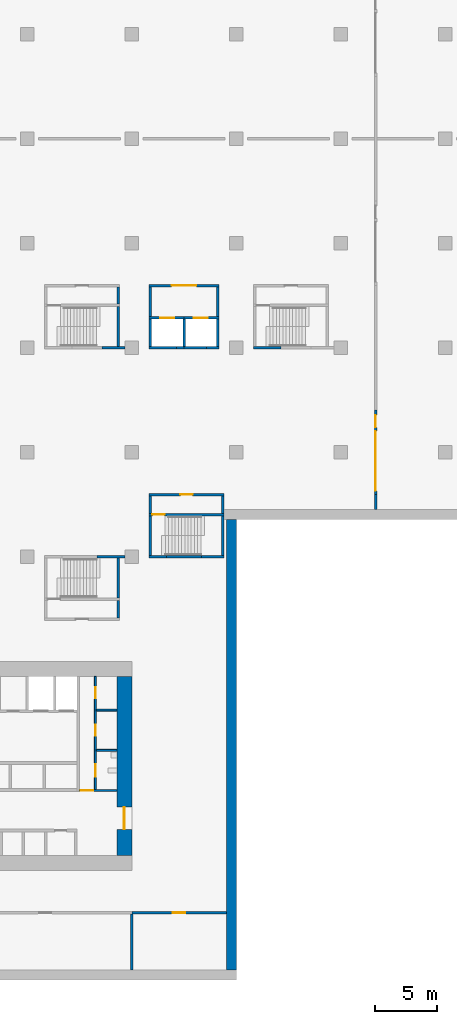
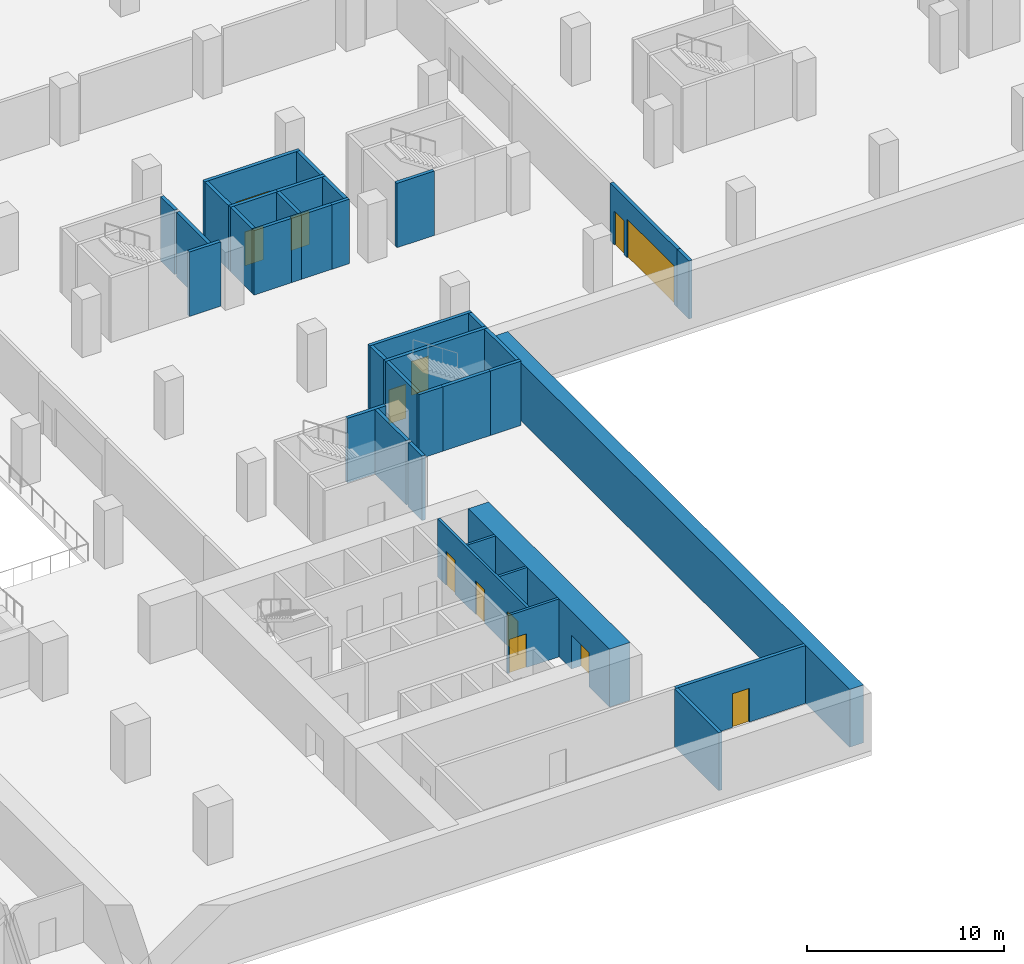
# One storey, part 7 of 18: 38 walls, 13 doors, 13 openings.
"""IFC4 building model written with IfcOpenShell, lengths in metres."""

from ifc_helpers import new_model, si_unit, direction, frame, frame_2d, origin, place, context, subcontext, project, spatial, rectangle, extrude, material, layer, layer_set, type_object, element, fill, save


model = new_model("IFC4")

# Units and contexts
model_context = context("Model", 3, precision=1e-05, world=origin(), true_north=direction((0.0, 1.0)))
body_context = subcontext(model_context, "Body", "Model", "MODEL_VIEW")
ifc_project = project(units=[si_unit("LENGTHUNIT", "METRE"), si_unit("AREAUNIT", "SQUARE_METRE"), si_unit("VOLUMEUNIT", "CUBIC_METRE"), si_unit("PLANEANGLEUNIT", "RADIAN"), si_unit("MASSUNIT", "GRAM", prefix="KILO")], contexts=[model_context])

# Site, building, storey
site_placement = place(None, origin())
site = spatial("IfcSite", under=ifc_project, at=site_placement, CompositionType="ELEMENT")
building_placement = place(site_placement, origin())
building = spatial("IfcBuilding", under=site, at=building_placement, Name="Vermilion Gate Residences", CompositionType="ELEMENT")
storey_placement = place(building_placement, frame((0.0, 0.0, -4.0)))
storey = spatial("IfcBuildingStorey", under=building, at=storey_placement, Name="B1", CompositionType="ELEMENT", Elevation=-4.0)

# Wall, opening, door
ifc_material_1 = material(Name="Masonry blockwork", Category="masonry")
ifc_layer_1 = layer(ifc_material_1, 0.14990234375)
ifc_layer_set_1 = layer_set([ifc_layer_1], Name="BLOCKWORK PARTITION 150 EI 120")
wall_type_1 = type_object("IfcWallType", Name="BLOCKWORK PARTITION 150 EI 120", PredefinedType="PARTITIONING", material=ifc_layer_set_1)
wall_1_placement = place(storey_placement, frame((54.60009765625, 14.824951171875, 0.0), z_axis=(0.0, 0.0, 1.0), x_axis=(1.0, 0.0, 0.0)))
wall_1 = element("IfcWall", 1, at=wall_1_placement, inside=storey, type_object=wall_type_1, Name="Core room partition AB1-ES-S", PredefinedType="PARTITIONING", context=body_context, shape_type="SweptSolid", body=[
    extrude(rectangle(XDim=3.0, YDim=0.14990234375, at=frame_2d((1.5, 0.0))), origin(), (0.0, 0.0, 1.0), 3.60009765625),
])
opening_1_placement = place(wall_1_placement, frame((0.10009765625, 0.0, 0.0)))
opening_1 = element("IfcOpeningElement", 2, at=opening_1_placement, cuts=wall_1, Name="Opening DKB1010", PredefinedType="OPENING", context=body_context, shape_type="SweptSolid", body=[
    extrude(rectangle(XDim=1.0, YDim=2.10009765625, at=frame_2d((0.5, 1.050048828125))), frame((0.0, 0.0849609375, 0.0), z_axis=(0.0, -1.0, 0.0), x_axis=(1.0, 0.0, 0.0)), (0.0, 0.0, 1.0), 0.169921875),
])
ifc_material_2 = material(Name="Steel", Category="steel")
door_type_1 = type_object("IfcDoorType", Name="FIRE DOOR FD60 1000 X 2100", OperationType="SINGLE_SWING_LEFT", PredefinedType="DOOR", material=ifc_material_2)
door_1_placement = place(opening_1_placement, frame((1.0, 0.0, 0.0), z_axis=(0.0, 0.0, 1.0), x_axis=(-1.0, 0.0, 0.0)))
door_1 = element("IfcDoor", 3, at=door_1_placement, inside=storey, type_object=door_type_1, Name="Service corridor door AB1", OperationType="SINGLE_SWING_LEFT", OverallHeight=2.10009765625, OverallWidth=1.0, PredefinedType="DOOR", context=body_context, shape_type="SweptSolid", body=[
    extrude(rectangle(XDim=1.0, YDim=2.10009765625, at=frame_2d((0.5, 1.050048828125))), frame((0.0, 0.02490234375, 0.0), z_axis=(0.0, -1.0, 0.0), x_axis=(1.0, 0.0, 0.0)), (0.0, 0.0, 1.0), 0.050048828125),
])
fill(opening_1, door_1)

# Walls
for number, where, z_axis, x_axis, name in (
    (4, (55.949951171875, 18.054931640625, 0.0), (0.0, 0.0, 1.0), (1.0, 0.0, 0.0), "Core room partition AB1-ES-P0"),
    (5, (55.949951171875, 21.284912109375, 0.0), (0.0, 0.0, 1.0), (1.0, 0.0, 0.0), "Core room partition AB1-ES-P1"),
):
    element("IfcWall", number, at=place(storey_placement, frame(where, z_axis=z_axis, x_axis=x_axis)), inside=storey, type_object=wall_type_1, Name=name, PredefinedType="PARTITIONING", context=body_context, shape_type="SweptSolid", body=[
        extrude(rectangle(XDim=1.650146484375, YDim=0.14990234375, at=frame_2d((0.8251953125, 0.0))), origin(), (0.0, 0.0, 1.0), 3.60009765625),
    ])

# Wall, openings, doors
wall_2_placement = place(storey_placement, frame((55.875, 14.89990234375, 0.0), z_axis=(0.0, 0.0, 1.0), x_axis=(0.0, 1.0, 0.0)))
wall_2 = element("IfcWall", 6, at=wall_2_placement, inside=storey, type_object=wall_type_1, Name="Core room partition AB1-ES-W", PredefinedType="PARTITIONING", context=body_context, shape_type="SweptSolid", body=[
    extrude(rectangle(XDim=9.10009765625, YDim=0.14990234375, at=frame_2d((4.550048828125, 0.0))), origin(), (0.0, 0.0, 1.0), 3.60009765625),
])
opening_2_placement = place(wall_2_placement, frame((1.0400390625, 0.0, 0.0)))
opening_2 = element("IfcOpeningElement", 7, at=opening_2_placement, cuts=wall_2, Name="Opening DKB1011", PredefinedType="OPENING", context=body_context, shape_type="SweptSolid", body=[
    extrude(rectangle(XDim=1.0, YDim=2.10009765625, at=frame_2d((0.5, 1.050048828125))), frame((0.0, 0.0849609375, 0.0), z_axis=(0.0, -1.0, 0.0), x_axis=(1.0, 0.0, 0.0)), (0.0, 0.0, 1.0), 0.169921875),
])
opening_3_placement = place(wall_2_placement, frame((4.320068359375, 0.0, 0.0)))
opening_3 = element("IfcOpeningElement", 8, at=opening_3_placement, cuts=wall_2, Name="Opening DKB1012", PredefinedType="OPENING", context=body_context, shape_type="SweptSolid", body=[
    extrude(rectangle(XDim=0.89990234375, YDim=2.10009765625, at=frame_2d((0.449951171875, 1.050048828125))), frame((0.0, 0.0849609375, 0.0), z_axis=(0.0, -1.0, 0.0), x_axis=(1.0, 0.0, 0.0)), (0.0, 0.0, 1.0), 0.169921875),
])
opening_4_placement = place(wall_2_placement, frame((7.330078125, 0.0, 0.0)))
opening_4 = element("IfcOpeningElement", 9, at=opening_4_placement, cuts=wall_2, Name="Opening DKB1013", PredefinedType="OPENING", context=body_context, shape_type="SweptSolid", body=[
    extrude(rectangle(XDim=0.89990234375, YDim=2.10009765625, at=frame_2d((0.449951171875, 1.050048828125))), frame((0.0, 0.0849609375, 0.0), z_axis=(0.0, -1.0, 0.0), x_axis=(1.0, 0.0, 0.0)), (0.0, 0.0, 1.0), 0.169921875),
])
door_2_placement = place(opening_2_placement, frame((1.0, 0.0, 0.0), z_axis=(0.0, 0.0, 1.0), x_axis=(-1.0, 0.0, 0.0)))
door_2 = element("IfcDoor", 10, at=door_2_placement, inside=storey, type_object=door_type_1, Name="Accessible WC AB1", OperationType="SINGLE_SWING_LEFT", OverallHeight=2.10009765625, OverallWidth=1.0, PredefinedType="DOOR", context=body_context, shape_type="SweptSolid", body=[
    extrude(rectangle(XDim=1.0, YDim=2.10009765625, at=frame_2d((0.5, 1.050048828125))), frame((0.0, 0.02490234375, 0.0), z_axis=(0.0, -1.0, 0.0), x_axis=(1.0, 0.0, 0.0)), (0.0, 0.0, 1.0), 0.050048828125),
])
fill(opening_2, door_2)
ifc_material_3 = material(Name="Steel", Category="steel")
door_type_2 = type_object("IfcDoorType", Name="SERVICE ROOM DOOR FD60 900 X 2100", OperationType="SINGLE_SWING_LEFT", PredefinedType="DOOR", material=ifc_material_3)
door_3_placement = place(opening_3_placement, frame((0.89990234375, 0.0, 0.0), z_axis=(0.0, 0.0, 1.0), x_axis=(-1.0, 0.0, 0.0)))
door_3 = element("IfcDoor", 11, at=door_3_placement, inside=storey, type_object=door_type_2, Name="Refuse room AB1", OperationType="SINGLE_SWING_RIGHT", OverallHeight=2.10009765625, OverallWidth=0.89990234375, PredefinedType="DOOR", context=body_context, shape_type="SweptSolid", body=[
    extrude(rectangle(XDim=0.89990234375, YDim=2.10009765625, at=frame_2d((0.449951171875, 1.050048828125))), frame((0.0, 0.02490234375, 0.0), z_axis=(0.0, -1.0, 0.0), x_axis=(1.0, 0.0, 0.0)), (0.0, 0.0, 1.0), 0.050048828125),
])
fill(opening_3, door_3)
door_4_placement = place(opening_4_placement, frame((0.89990234375, 0.0, 0.0), z_axis=(0.0, 0.0, 1.0), x_axis=(-1.0, 0.0, 0.0)))
door_4 = element("IfcDoor", 12, at=door_4_placement, inside=storey, type_object=door_type_2, Name="Parcel room AB1", OperationType="SINGLE_SWING_LEFT", OverallHeight=2.10009765625, OverallWidth=0.89990234375, PredefinedType="DOOR", context=body_context, shape_type="SweptSolid", body=[
    extrude(rectangle(XDim=0.89990234375, YDim=2.10009765625, at=frame_2d((0.449951171875, 1.050048828125))), frame((0.0, 0.02490234375, 0.0), z_axis=(0.0, -1.0, 0.0), x_axis=(1.0, 0.0, 0.0)), (0.0, 0.0, 1.0), 0.050048828125),
])
fill(opening_4, door_4)

# Wall
ifc_material_4 = material(Name="Concrete blockwork", Category="masonry")
ifc_layer_2 = layer(ifc_material_4, 0.199951171875)
ifc_layer_set_2 = layer_set([ifc_layer_2], Name="FIRE WALL 200 EI 120 (AMENITY)")
wall_type_2 = type_object("IfcWallType", Name="FIRE WALL 200 EI 120 (AMENITY)", PredefinedType="PARTITIONING", material=ifc_layer_set_2)
wall_3_placement = place(storey_placement, frame((58.800048828125, 0.39990234375, 0.0), z_axis=(0.0, 0.0, 1.0), x_axis=(0.0, 1.0, 0.0)))
element("IfcWall", 13, at=wall_3_placement, inside=storey, type_object=wall_type_2, Name="Fire-resisting wall 93", PredefinedType="PARTITIONING", context=body_context, shape_type="SweptSolid", body=[
    extrude(rectangle(XDim=4.5, YDim=0.199951171875, at=frame_2d((2.25, 0.0))), origin(), (0.0, 0.0, 1.0), 3.60009765625),
])

# Wall, opening, door
wall_4_placement = place(storey_placement, frame((58.800048828125, 5.0, 0.0), z_axis=(0.0, 0.0, 1.0), x_axis=(1.0, 0.0, 0.0)))
wall_4 = element("IfcWall", 14, at=wall_4_placement, inside=storey, type_object=wall_type_2, Name="Fire-resisting wall 94", PredefinedType="PARTITIONING", context=body_context, shape_type="SweptSolid", body=[
    extrude(rectangle(XDim=7.599853515625, YDim=0.199951171875, at=frame_2d((3.7998046875, 0.0))), origin(), (0.0, 0.0, 1.0), 3.60009765625),
])
opening_5_placement = place(wall_4_placement, frame((3.300048828125, 0.0, 0.0)))
opening_5 = element("IfcOpeningElement", 15, at=opening_5_placement, cuts=wall_4, Name="Opening DMB1004", PredefinedType="OPENING", context=body_context, shape_type="SweptSolid", body=[
    extrude(rectangle(XDim=1.0, YDim=2.10009765625, at=frame_2d((0.5, 1.050048828125))), frame((0.0, 0.10986328125, 0.0), z_axis=(0.0, -1.0, 0.0), x_axis=(1.0, 0.0, 0.0)), (0.0, 0.0, 1.0), 0.219970703125),
])
ifc_material_5 = material(Name="Steel", Category="steel")
door_type_3 = type_object("IfcDoorType", Name="DOOR 1000 X 2100 FD60 (AMENITY)", OperationType="SINGLE_SWING_LEFT", PredefinedType="DOOR", material=ifc_material_5)
door_5_placement = place(opening_5_placement, origin())
door_5 = element("IfcDoor", 16, at=door_5_placement, inside=storey, type_object=door_type_3, Name="Door B1 4", OperationType="SINGLE_SWING_LEFT", OverallHeight=2.10009765625, OverallWidth=1.0, PredefinedType="DOOR", context=body_context, shape_type="SweptSolid", body=[
    extrude(rectangle(XDim=1.0, YDim=2.10009765625, at=frame_2d((0.5, 1.050048828125))), frame((0.0, 0.02490234375, 0.0), z_axis=(0.0, -1.0, 0.0), x_axis=(1.0, 0.0, 0.0)), (0.0, 0.0, 1.0), 0.050048828125),
])
fill(opening_5, door_5)

# Wall
ifc_material_6 = material(Name="Concrete blockwork", Category="masonry")
ifc_layer_3 = layer(ifc_material_6, 0.199951171875)
ifc_layer_set_3 = layer_set([ifc_layer_3], Name="GARAGE FIRE WALL 200 EI 120 (AMENITY)")
wall_type_3 = type_object("IfcWallType", Name="GARAGE FIRE WALL 200 EI 120 (AMENITY)", PredefinedType="PARTITIONING", material=ifc_layer_set_3)
wall_5_placement = place(storey_placement, frame((78.39990234375, 37.39990234375, 0.0), z_axis=(0.0, 0.0, 1.0), x_axis=(0.0, 1.0, 0.0)))
element("IfcWall", 17, at=wall_5_placement, inside=storey, type_object=wall_type_3, Name="Fire compartment wall", PredefinedType="PARTITIONING", context=body_context, shape_type="SweptSolid", body=[
    extrude(rectangle(XDim=1.2001953125, YDim=0.199951171875, at=frame_2d((0.60009765625, 0.0))), origin(), (0.0, 0.0, 1.0), 3.60009765625),
])

# Wall, openings, doors
wall_6_placement = place(storey_placement, frame((78.39990234375, 38.60009765625, 0.0), z_axis=(0.0, 0.0, 1.0), x_axis=(0.0, 1.0, 0.0)))
wall_6 = element("IfcWall", 18, at=wall_6_placement, inside=storey, type_object=wall_type_3, Name="Fire compartment wall", PredefinedType="PARTITIONING", context=body_context, shape_type="SweptSolid", body=[
    extrude(rectangle(XDim=6.7998046875, YDim=0.199951171875, at=frame_2d((3.39990234375, 0.0))), origin(), (0.0, 0.0, 1.0), 3.60009765625),
])
opening_6_placement = place(wall_6_placement, frame((0.300048828125, 0.0, 0.0)))
opening_6 = element("IfcOpeningElement", 19, at=opening_6_placement, cuts=wall_6, Name="Opening DGB1017", PredefinedType="OPENING", context=body_context, shape_type="SweptSolid", body=[
    extrude(rectangle(XDim=4.800048828125, YDim=2.39990234375, at=frame_2d((2.39990234375, 1.199951171875))), frame((0.0, 0.10986328125, 0.0), z_axis=(0.0, -1.0, 0.0), x_axis=(1.0, 0.0, 0.0)), (0.0, 0.0, 1.0), 0.219970703125),
])
opening_7_placement = place(wall_6_placement, frame((5.39990234375, 0.0, 0.0)))
opening_7 = element("IfcOpeningElement", 20, at=opening_7_placement, cuts=wall_6, Name="Opening DGB1018", PredefinedType="OPENING", context=body_context, shape_type="SweptSolid", body=[
    extrude(rectangle(XDim=1.0, YDim=2.10009765625, at=frame_2d((0.5, 1.050048828125))), frame((0.0, 0.10986328125, 0.0), z_axis=(0.0, -1.0, 0.0), x_axis=(1.0, 0.0, 0.0)), (0.0, 0.0, 1.0), 0.219970703125),
])
ifc_material_7 = material(Name="Steel", Category="steel")
door_type_4 = type_object("IfcDoorType", Name="DOOR 1000 X 2100 FD120 (AMENITY)", OperationType="SINGLE_SWING_LEFT", PredefinedType="DOOR", material=ifc_material_7)
door_6_placement = place(opening_7_placement, frame((1.0, 0.0, 0.0), z_axis=(0.0, 0.0, 1.0), x_axis=(-1.0, 0.0, 0.0)))
door_6 = element("IfcDoor", 21, at=door_6_placement, inside=storey, type_object=door_type_4, Name="Fire door", OperationType="SINGLE_SWING_RIGHT", OverallHeight=2.10009765625, OverallWidth=1.0, PredefinedType="DOOR", context=body_context, shape_type="SweptSolid", body=[
    extrude(rectangle(XDim=1.0, YDim=2.10009765625, at=frame_2d((0.5, 1.050048828125))), frame((0.0, 0.02490234375, 0.0), z_axis=(0.0, -1.0, 0.0), x_axis=(1.0, 0.0, 0.0)), (0.0, 0.0, 1.0), 0.050048828125),
])
fill(opening_7, door_6)
ifc_material_8 = material(Name="Steel", Category="steel")
door_type_5 = type_object("IfcDoorType", Name="FIRE SHUTTER 4800 X 2400 (AMENITY)", OperationType="ROLLINGUP", PredefinedType="GATE", material=ifc_material_8)
door_7_placement = place(opening_6_placement, origin())
door_7 = element("IfcDoor", 22, at=door_7_placement, inside=storey, type_object=door_type_5, Name="Fire shutter", OperationType="ROLLINGUP", OverallHeight=2.39990234375, OverallWidth=4.800048828125, PredefinedType="GATE", context=body_context, shape_type="SweptSolid", body=[
    extrude(rectangle(XDim=4.800048828125, YDim=2.39990234375, at=frame_2d((2.39990234375, 1.199951171875))), frame((0.0, 0.02490234375, 0.0), z_axis=(0.0, -1.0, 0.0), x_axis=(1.0, 0.0, 0.0)), (0.0, 0.0, 1.0), 0.050048828125),
])
fill(opening_6, door_7)

# Wall, opening, door
ifc_material_9 = material(Name="Concrete C80", Category="concrete")
ifc_layer_4 = layer(ifc_material_9, 1.199951171875)
ifc_layer_set_4 = layer_set([ifc_layer_4], Name="RC CORE WALL 1200 C80")
wall_type_4 = type_object("IfcWallType", Name="RC CORE WALL 1200 C80", PredefinedType="SHEAR", material=ifc_layer_set_4)
wall_7_placement = place(storey_placement, frame((58.199951171875, 9.60009765625, 0.0), z_axis=(0.0, 0.0, 1.0), x_axis=(0.0, 1.0, 0.0)))
wall_7 = element("IfcWall", 23, at=wall_7_placement, inside=storey, type_object=wall_type_4, Name="Core wall AB1-OUT-BK", PredefinedType="SHEAR", context=body_context, shape_type="SweptSolid", body=[
    extrude(rectangle(XDim=14.39990234375, YDim=1.199951171875, at=frame_2d((7.199951171875, 0.0))), origin(), (0.0, 0.0, 1.0), 3.60009765625),
])
opening_8_placement = place(wall_7_placement, frame((2.10009765625, 0.0, 0.0)))
opening_8 = element("IfcOpeningElement", 24, at=opening_8_placement, cuts=wall_7, Name="Opening DKB1002", PredefinedType="OPENING", context=body_context, shape_type="SweptSolid", body=[
    extrude(rectangle(XDim=1.800048828125, YDim=2.10009765625, at=frame_2d((0.89990234375, 1.050048828125))), frame((0.0, 0.60986328125, 0.0), z_axis=(0.0, -1.0, 0.0), x_axis=(1.0, 0.0, 0.0)), (0.0, 0.0, 1.0), 1.219970703125),
])
ifc_material_10 = material(Name="Steel", Category="steel")
door_type_6 = type_object("IfcDoorType", Name="CORE LOBBY DOOR FD60 1800 X 2100", OperationType="DOUBLE_DOOR_SINGLE_SWING", PredefinedType="DOOR", material=ifc_material_10)
door_8_placement = place(opening_8_placement, origin())
door_8 = element("IfcDoor", 25, at=door_8_placement, inside=storey, type_object=door_type_6, Name="Core lobby door AB1", OperationType="DOUBLE_DOOR_SINGLE_SWING", OverallHeight=2.10009765625, OverallWidth=1.800048828125, PredefinedType="DOOR", context=body_context, shape_type="SweptSolid", body=[
    extrude(rectangle(XDim=1.800048828125, YDim=2.10009765625, at=frame_2d((0.89990234375, 1.050048828125))), frame((0.0, 0.02490234375, 0.0), z_axis=(0.0, -1.0, 0.0), x_axis=(1.0, 0.0, 0.0)), (0.0, 0.0, 1.0), 0.050048828125),
])
fill(opening_8, door_8)

# Walls
ifc_material_11 = material(Name="Concrete C40", Category="concrete")
ifc_layer_5 = layer(ifc_material_11, 0.800048828125)
ifc_layer_set_5 = layer_set([ifc_layer_5], Name="RC DIAPHRAGM WALL 800 C40")
wall_type_5 = type_object("IfcWallType", Name="RC DIAPHRAGM WALL 800 C40", PredefinedType="SOLIDWALL", material=ifc_layer_set_5)
wall_8_placement = place(storey_placement, frame((66.800048828125, 0.39990234375, 0.0), z_axis=(0.0, 0.0, 1.0), x_axis=(0.0, 1.0, 0.0)))
element("IfcWall", 26, at=wall_8_placement, inside=storey, type_object=wall_type_5, Name="Diaphragm wall B1 4", PredefinedType="SOLIDWALL", context=body_context, shape_type="SweptSolid", body=[
    extrude(rectangle(XDim=36.2001953125, YDim=0.800048828125, at=frame_2d((18.10009765625, 0.0))), origin(), (0.0, 0.0, 1.0), 3.60009765625),
])
ifc_material_12 = material(Name="Concrete C40", Category="concrete")
ifc_layer_6 = layer(ifc_material_12, 0.199951171875)
ifc_layer_set_6 = layer_set([ifc_layer_6], Name="RC STAIR AND SHAFT WALL 200 EI 180 C40 (AMENITY)")
wall_type_6 = type_object("IfcWallType", Name="RC STAIR AND SHAFT WALL 200 EI 180 C40 (AMENITY)", PredefinedType="SOLIDWALL", material=ifc_layer_set_6)
wall_9_placement = place(storey_placement, frame((56.0, 33.60009765625, 0.0), z_axis=(0.0, 0.0, 1.0), x_axis=(1.0, 0.0, 0.0)))
element("IfcWall", 27, at=wall_9_placement, inside=storey, type_object=wall_type_6, Name="Stair and shaft wall 84", PredefinedType="SOLIDWALL", context=body_context, shape_type="SweptSolid", body=[
    extrude(rectangle(XDim=2.25, YDim=0.199951171875, at=frame_2d((1.125, 0.0))), origin(), (0.0, 0.0, 1.0), 4.0),
])
wall_10_placement = place(storey_placement, frame((56.39990234375, 50.39990234375, 0.0), z_axis=(0.0, 0.0, 1.0), x_axis=(1.0, 0.0, 0.0)))
element("IfcWall", 28, at=wall_10_placement, inside=storey, type_object=wall_type_6, Name="Stair and shaft wall 86", PredefinedType="SOLIDWALL", context=body_context, shape_type="SweptSolid", body=[
    extrude(rectangle(XDim=1.85009765625, YDim=0.199951171875, at=frame_2d((0.925048828125, 0.0))), origin(), (0.0, 0.0, 1.0), 4.0),
])
wall_11_placement = place(storey_placement, frame((57.699951171875, 28.699951171875, 0.0), z_axis=(0.0, 0.0, 1.0), x_axis=(0.0, 1.0, 0.0)))
element("IfcWall", 29, at=wall_11_placement, inside=storey, type_object=wall_type_6, Name="Stair and shaft wall 87", PredefinedType="SOLIDWALL", context=body_context, shape_type="SweptSolid", body=[
    extrude(rectangle(XDim=1.400146484375, YDim=0.199951171875, at=frame_2d((0.7001953125, 0.0))), origin(), (0.0, 0.0, 1.0), 4.0),
])
for number, where, z_axis, x_axis, name in (
    (30, (57.699951171875, 30.300048828125, 0.0), (0.0, 0.0, 1.0), (0.0, 1.0, 0.0), "Stair and shaft wall 88"),
    (31, (57.699951171875, 50.5, 0.0), (0.0, 0.0, 1.0), (0.0, 1.0, 0.0), "Stair and shaft wall 89"),
):
    element("IfcWall", number, at=place(storey_placement, frame(where, z_axis=z_axis, x_axis=x_axis)), inside=storey, type_object=wall_type_6, Name=name, PredefinedType="SOLIDWALL", context=body_context, shape_type="SweptSolid", body=[
        extrude(rectangle(XDim=3.199951171875, YDim=0.199951171875, at=frame_2d((1.60009765625, 0.0))), origin(), (0.0, 0.0, 1.0), 4.0),
    ])
wall_12_placement = place(storey_placement, frame((57.699951171875, 53.89990234375, 0.0), z_axis=(0.0, 0.0, 1.0), x_axis=(0.0, 1.0, 0.0)))
element("IfcWall", 32, at=wall_12_placement, inside=storey, type_object=wall_type_6, Name="Stair and shaft wall 90", PredefinedType="SOLIDWALL", context=body_context, shape_type="SweptSolid", body=[
    extrude(rectangle(XDim=1.400146484375, YDim=0.199951171875, at=frame_2d((0.7001953125, 0.0))), origin(), (0.0, 0.0, 1.0), 4.0),
])
wall_13_placement = place(storey_placement, frame((60.300048828125, 33.699951171875, 0.0), z_axis=(0.0, 0.0, 1.0), x_axis=(0.0, 1.0, 0.0)))
element("IfcWall", 33, at=wall_13_placement, inside=storey, type_object=wall_type_6, Name="Stair and shaft wall 95", PredefinedType="SOLIDWALL", context=body_context, shape_type="SweptSolid", body=[
    extrude(rectangle(XDim=3.199951171875, YDim=0.199951171875, at=frame_2d((1.60009765625, 0.0))), origin(), (0.0, 0.0, 1.0), 4.0),
])
wall_14_placement = place(storey_placement, frame((60.199951171875, 33.60009765625, 0.0), z_axis=(0.0, 0.0, 1.0), x_axis=(1.0, 0.0, 0.0)))
element("IfcWall", 34, at=wall_14_placement, inside=storey, type_object=wall_type_6, Name="Stair and shaft wall 96", PredefinedType="SOLIDWALL", context=body_context, shape_type="SweptSolid", body=[
    extrude(rectangle(XDim=1.400146484375, YDim=0.199951171875, at=frame_2d((0.7001953125, 0.0))), origin(), (0.0, 0.0, 1.0), 4.0),
])
wall_15_placement = place(storey_placement, frame((60.300048828125, 37.10009765625, 0.0), z_axis=(0.0, 0.0, 1.0), x_axis=(0.0, 1.0, 0.0)))
element("IfcWall", 35, at=wall_15_placement, inside=storey, type_object=wall_type_6, Name="Stair and shaft wall 97", PredefinedType="SOLIDWALL", context=body_context, shape_type="SweptSolid", body=[
    extrude(rectangle(XDim=1.39990234375, YDim=0.199951171875, at=frame_2d((0.699951171875, 0.0))), origin(), (0.0, 0.0, 1.0), 4.0),
])

# Wall, opening, door
wall_16_placement = place(storey_placement, frame((60.199951171875, 37.0, 0.0), z_axis=(0.0, 0.0, 1.0), x_axis=(1.0, 0.0, 0.0)))
wall_16 = element("IfcWall", 36, at=wall_16_placement, inside=storey, type_object=wall_type_6, Name="Stair and shaft wall 98", PredefinedType="SOLIDWALL", context=body_context, shape_type="SweptSolid", body=[
    extrude(rectangle(XDim=6.0, YDim=0.199951171875, at=frame_2d((3.0, 0.0))), origin(), (0.0, 0.0, 1.0), 4.0),
])
opening_9_placement = place(wall_16_placement, frame((0.25, 0.0, 0.0)))
opening_9 = element("IfcOpeningElement", 37, at=opening_9_placement, cuts=wall_16, Name="Opening DMB1036", PredefinedType="OPENING", context=body_context, shape_type="SweptSolid", body=[
    extrude(rectangle(XDim=1.0, YDim=2.10009765625, at=frame_2d((0.5, 1.050048828125))), frame((0.0, 0.10986328125, 0.0), z_axis=(0.0, -1.0, 0.0), x_axis=(1.0, 0.0, 0.0)), (0.0, 0.0, 1.0), 0.219970703125),
])
door_9_placement = place(opening_9_placement, frame((1.0, 0.0, 0.0), z_axis=(0.0, 0.0, 1.0), x_axis=(-1.0, 0.0, 0.0)))
door_9 = element("IfcDoor", 38, at=door_9_placement, inside=storey, type_object=door_type_3, Name="Door B1 36", OperationType="SINGLE_SWING_LEFT", OverallHeight=2.10009765625, OverallWidth=1.0, PredefinedType="DOOR", context=body_context, shape_type="SweptSolid", body=[
    extrude(rectangle(XDim=1.0, YDim=2.10009765625, at=frame_2d((0.5, 1.050048828125))), frame((0.0, 0.02490234375, 0.0), z_axis=(0.0, -1.0, 0.0), x_axis=(1.0, 0.0, 0.0)), (0.0, 0.0, 1.0), 0.050048828125),
])
fill(opening_9, door_9)

wall_17_placement = place(storey_placement, frame((60.199951171875, 38.60009765625, 0.0), z_axis=(0.0, 0.0, 1.0), x_axis=(1.0, 0.0, 0.0)))
wall_17 = element("IfcWall", 39, at=wall_17_placement, inside=storey, type_object=wall_type_6, Name="Stair and shaft wall 99", PredefinedType="SOLIDWALL", context=body_context, shape_type="SweptSolid", body=[
    extrude(rectangle(XDim=6.0, YDim=0.199951171875, at=frame_2d((3.0, 0.0))), origin(), (0.0, 0.0, 1.0), 4.0),
])
opening_10_placement = place(wall_17_placement, frame((2.5, 0.0, 0.0)))
opening_10 = element("IfcOpeningElement", 40, at=opening_10_placement, cuts=wall_17, Name="Opening DMB1035", PredefinedType="OPENING", context=body_context, shape_type="SweptSolid", body=[
    extrude(rectangle(XDim=1.0, YDim=2.10009765625, at=frame_2d((0.5, 1.050048828125))), frame((0.0, 0.10986328125, 0.0), z_axis=(0.0, -1.0, 0.0), x_axis=(1.0, 0.0, 0.0)), (0.0, 0.0, 1.0), 0.219970703125),
])
door_10_placement = place(opening_10_placement, origin())
door_10 = element("IfcDoor", 41, at=door_10_placement, inside=storey, type_object=door_type_3, Name="Door B1 35", OperationType="SINGLE_SWING_LEFT", OverallHeight=2.10009765625, OverallWidth=1.0, PredefinedType="DOOR", context=body_context, shape_type="SweptSolid", body=[
    extrude(rectangle(XDim=1.0, YDim=2.10009765625, at=frame_2d((0.5, 1.050048828125))), frame((0.0, 0.02490234375, 0.0), z_axis=(0.0, -1.0, 0.0), x_axis=(1.0, 0.0, 0.0)), (0.0, 0.0, 1.0), 0.050048828125),
])
fill(opening_10, door_10)

# Walls
for number, where, z_axis, x_axis, name in (
    (42, (60.300048828125, 50.5, 0.0), (0.0, 0.0, 1.0), (0.0, 1.0, 0.0), "Stair and shaft wall 100"),
    (43, (60.199951171875, 50.39990234375, 0.0), (0.0, 0.0, 1.0), (1.0, 0.0, 0.0), "Stair and shaft wall 101"),
):
    element("IfcWall", number, at=place(storey_placement, frame(where, z_axis=z_axis, x_axis=x_axis)), inside=storey, type_object=wall_type_6, Name=name, PredefinedType="SOLIDWALL", context=body_context, shape_type="SweptSolid", body=[
        extrude(rectangle(XDim=2.199951171875, YDim=0.199951171875, at=frame_2d((1.10009765625, 0.0))), origin(), (0.0, 0.0, 1.0), 4.0),
    ])
wall_18_placement = place(storey_placement, frame((60.300048828125, 52.89990234375, 0.0), z_axis=(0.0, 0.0, 1.0), x_axis=(0.0, 1.0, 0.0)))
element("IfcWall", 44, at=wall_18_placement, inside=storey, type_object=wall_type_6, Name="Stair and shaft wall 102", PredefinedType="SOLIDWALL", context=body_context, shape_type="SweptSolid", body=[
    extrude(rectangle(XDim=2.400146484375, YDim=0.199951171875, at=frame_2d((1.2001953125, 0.0))), origin(), (0.0, 0.0, 1.0), 4.0),
])

# Wall, opening, door
wall_19_placement = place(storey_placement, frame((60.199951171875, 52.800048828125, 0.0), z_axis=(0.0, 0.0, 1.0), x_axis=(1.0, 0.0, 0.0)))
wall_19 = element("IfcWall", 45, at=wall_19_placement, inside=storey, type_object=wall_type_6, Name="Stair and shaft wall 103", PredefinedType="SOLIDWALL", context=body_context, shape_type="SweptSolid", body=[
    extrude(rectangle(XDim=2.800048828125, YDim=0.199951171875, at=frame_2d((1.39990234375, 0.0))), origin(), (0.0, 0.0, 1.0), 4.0),
])
opening_11_placement = place(wall_19_placement, frame((0.89990234375, 0.0, 0.0)))
opening_11 = element("IfcOpeningElement", 46, at=opening_11_placement, cuts=wall_19, Name="Opening LD", PredefinedType="OPENING", context=body_context, shape_type="SweptSolid", body=[
    extrude(rectangle(XDim=1.10009765625, YDim=2.10009765625, at=frame_2d((0.550048828125, 1.050048828125))), frame((0.0, 0.10986328125, 0.0), z_axis=(0.0, -1.0, 0.0), x_axis=(1.0, 0.0, 0.0)), (0.0, 0.0, 1.0), 0.219970703125),
])
ifc_material_13 = material(Name="Stainless steel", Category="steel")
door_type_7 = type_object("IfcDoorType", Name="LIFT LANDING DOOR 1100 X 2100 (AMENITY)", OperationType="SLIDING_TO_LEFT", PredefinedType="DOOR", material=ifc_material_13)
door_11_placement = place(opening_11_placement, origin())
door_11 = element("IfcDoor", 47, at=door_11_placement, inside=storey, type_object=door_type_7, Name="Lift landing door", OperationType="SLIDING_TO_LEFT", OverallHeight=2.10009765625, OverallWidth=1.10009765625, PredefinedType="DOOR", context=body_context, shape_type="SweptSolid", body=[
    extrude(rectangle(XDim=1.10009765625, YDim=2.10009765625, at=frame_2d((0.550048828125, 1.050048828125))), frame((0.0, 0.02490234375, 0.0), z_axis=(0.0, -1.0, 0.0), x_axis=(1.0, 0.0, 0.0)), (0.0, 0.0, 1.0), 0.050048828125),
])
fill(opening_11, door_11)

wall_20_placement = place(storey_placement, frame((60.199951171875, 55.39990234375, 0.0), z_axis=(0.0, 0.0, 1.0), x_axis=(1.0, 0.0, 0.0)))
wall_20 = element("IfcWall", 48, at=wall_20_placement, inside=storey, type_object=wall_type_6, Name="Stair and shaft wall 104", PredefinedType="SOLIDWALL", context=body_context, shape_type="SweptSolid", body=[
    extrude(rectangle(XDim=5.60009765625, YDim=0.199951171875, at=frame_2d((2.800048828125, 0.0))), origin(), (0.0, 0.0, 1.0), 4.0),
])
opening_12_placement = place(wall_20_placement, frame((1.800048828125, 0.0, 0.0)))
opening_12 = element("IfcOpeningElement", 49, at=opening_12_placement, cuts=wall_20, Name="Opening DMB1037", PredefinedType="OPENING", context=body_context, shape_type="SweptSolid", body=[
    extrude(rectangle(XDim=2.0, YDim=2.10009765625, at=frame_2d((1.0, 1.050048828125))), frame((0.0, 0.10986328125, 0.0), z_axis=(0.0, -1.0, 0.0), x_axis=(1.0, 0.0, 0.0)), (0.0, 0.0, 1.0), 0.219970703125),
])
ifc_material_14 = material(Name="Steel", Category="steel")
door_type_8 = type_object("IfcDoorType", Name="DOUBLE DOOR 2000 X 2100 FD60 (AMENITY)", OperationType="DOUBLE_DOOR_SINGLE_SWING", PredefinedType="DOOR", material=ifc_material_14)
door_12_placement = place(opening_12_placement, frame((2.0, 0.0, 0.0), z_axis=(0.0, 0.0, 1.0), x_axis=(-1.0, 0.0, 0.0)))
door_12 = element("IfcDoor", 50, at=door_12_placement, inside=storey, type_object=door_type_8, Name="Door B1 37", OperationType="DOUBLE_DOOR_SINGLE_SWING", OverallHeight=2.10009765625, OverallWidth=2.0, PredefinedType="DOOR", context=body_context, shape_type="SweptSolid", body=[
    extrude(rectangle(XDim=2.0, YDim=2.10009765625, at=frame_2d((1.0, 1.050048828125))), frame((0.0, 0.02490234375, 0.0), z_axis=(0.0, -1.0, 0.0), x_axis=(1.0, 0.0, 0.0)), (0.0, 0.0, 1.0), 0.050048828125),
])
fill(opening_12, door_12)

# Walls
wall_21_placement = place(storey_placement, frame((61.60009765625, 33.60009765625, 0.0), z_axis=(0.0, 0.0, 1.0), x_axis=(1.0, 0.0, 0.0)))
element("IfcWall", 51, at=wall_21_placement, inside=storey, type_object=wall_type_6, Name="Stair and shaft wall 108", PredefinedType="SOLIDWALL", context=body_context, shape_type="SweptSolid", body=[
    extrude(rectangle(XDim=2.7998046875, YDim=0.199951171875, at=frame_2d((1.39990234375, 0.0))), origin(), (0.0, 0.0, 1.0), 4.0),
])
wall_22_placement = place(storey_placement, frame((62.39990234375, 50.39990234375, 0.0), z_axis=(0.0, 0.0, 1.0), x_axis=(1.0, 0.0, 0.0)))
element("IfcWall", 52, at=wall_22_placement, inside=storey, type_object=wall_type_6, Name="Stair and shaft wall 110", PredefinedType="SOLIDWALL", context=body_context, shape_type="SweptSolid", body=[
    extrude(rectangle(XDim=0.60009765625, YDim=0.199951171875, at=frame_2d((0.300048828125, 0.0))), origin(), (0.0, 0.0, 1.0), 4.0),
])
wall_23_placement = place(storey_placement, frame((63.0, 50.5, 0.0), z_axis=(0.0, 0.0, 1.0), x_axis=(0.0, 1.0, 0.0)))
element("IfcWall", 53, at=wall_23_placement, inside=storey, type_object=wall_type_6, Name="Stair and shaft wall 111", PredefinedType="SOLIDWALL", context=body_context, shape_type="SweptSolid", body=[
    extrude(rectangle(XDim=2.199951171875, YDim=0.199951171875, at=frame_2d((1.10009765625, 0.0))), origin(), (0.0, 0.0, 1.0), 4.0),
])
wall_24_placement = place(storey_placement, frame((63.0, 50.39990234375, 0.0), z_axis=(0.0, 0.0, 1.0), x_axis=(1.0, 0.0, 0.0)))
element("IfcWall", 54, at=wall_24_placement, inside=storey, type_object=wall_type_6, Name="Stair and shaft wall 112", PredefinedType="SOLIDWALL", context=body_context, shape_type="SweptSolid", body=[
    extrude(rectangle(XDim=1.800048828125, YDim=0.199951171875, at=frame_2d((0.89990234375, 0.0))), origin(), (0.0, 0.0, 1.0), 4.0),
])

# Wall, opening, door
wall_25_placement = place(storey_placement, frame((63.0, 52.800048828125, 0.0), z_axis=(0.0, 0.0, 1.0), x_axis=(1.0, 0.0, 0.0)))
wall_25 = element("IfcWall", 55, at=wall_25_placement, inside=storey, type_object=wall_type_6, Name="Stair and shaft wall 113", PredefinedType="SOLIDWALL", context=body_context, shape_type="SweptSolid", body=[
    extrude(rectangle(XDim=2.800048828125, YDim=0.199951171875, at=frame_2d((1.39990234375, 0.0))), origin(), (0.0, 0.0, 1.0), 4.0),
])
opening_13_placement = place(wall_25_placement, frame((0.800048828125, 0.0, 0.0)))
opening_13 = element("IfcOpeningElement", 56, at=opening_13_placement, cuts=wall_25, Name="Opening LD", PredefinedType="OPENING", context=body_context, shape_type="SweptSolid", body=[
    extrude(rectangle(XDim=1.10009765625, YDim=2.10009765625, at=frame_2d((0.550048828125, 1.050048828125))), frame((0.0, 0.10986328125, 0.0), z_axis=(0.0, -1.0, 0.0), x_axis=(1.0, 0.0, 0.0)), (0.0, 0.0, 1.0), 0.219970703125),
])
door_13_placement = place(opening_13_placement, origin())
door_13 = element("IfcDoor", 57, at=door_13_placement, inside=storey, type_object=door_type_7, Name="Lift landing door", OperationType="SLIDING_TO_LEFT", OverallHeight=2.10009765625, OverallWidth=1.10009765625, PredefinedType="DOOR", context=body_context, shape_type="SweptSolid", body=[
    extrude(rectangle(XDim=1.10009765625, YDim=2.10009765625, at=frame_2d((0.550048828125, 1.050048828125))), frame((0.0, 0.02490234375, 0.0), z_axis=(0.0, -1.0, 0.0), x_axis=(1.0, 0.0, 0.0)), (0.0, 0.0, 1.0), 0.050048828125),
])
fill(opening_13, door_13)

# Walls
wall_26_placement = place(storey_placement, frame((64.39990234375, 33.60009765625, 0.0), z_axis=(0.0, 0.0, 1.0), x_axis=(1.0, 0.0, 0.0)))
element("IfcWall", 58, at=wall_26_placement, inside=storey, type_object=wall_type_6, Name="Stair and shaft wall 115", PredefinedType="SOLIDWALL", context=body_context, shape_type="SweptSolid", body=[
    extrude(rectangle(XDim=1.800048828125, YDim=0.199951171875, at=frame_2d((0.89990234375, 0.0))), origin(), (0.0, 0.0, 1.0), 4.0),
])
wall_27_placement = place(storey_placement, frame((64.800048828125, 50.39990234375, 0.0), z_axis=(0.0, 0.0, 1.0), x_axis=(1.0, 0.0, 0.0)))
element("IfcWall", 59, at=wall_27_placement, inside=storey, type_object=wall_type_6, Name="Stair and shaft wall 116", PredefinedType="SOLIDWALL", context=body_context, shape_type="SweptSolid", body=[
    extrude(rectangle(XDim=1.0, YDim=0.199951171875, at=frame_2d((0.5, 0.0))), origin(), (0.0, 0.0, 1.0), 4.0),
])
wall_28_placement = place(storey_placement, frame((65.699951171875, 50.5, 0.0), z_axis=(0.0, 0.0, 1.0), x_axis=(0.0, 1.0, 0.0)))
element("IfcWall", 60, at=wall_28_placement, inside=storey, type_object=wall_type_6, Name="Stair and shaft wall 117", PredefinedType="SOLIDWALL", context=body_context, shape_type="SweptSolid", body=[
    extrude(rectangle(XDim=2.199951171875, YDim=0.199951171875, at=frame_2d((1.10009765625, 0.0))), origin(), (0.0, 0.0, 1.0), 4.0),
])
wall_29_placement = place(storey_placement, frame((65.699951171875, 52.89990234375, 0.0), z_axis=(0.0, 0.0, 1.0), x_axis=(0.0, 1.0, 0.0)))
element("IfcWall", 61, at=wall_29_placement, inside=storey, type_object=wall_type_6, Name="Stair and shaft wall 118", PredefinedType="SOLIDWALL", context=body_context, shape_type="SweptSolid", body=[
    extrude(rectangle(XDim=2.400146484375, YDim=0.199951171875, at=frame_2d((1.2001953125, 0.0))), origin(), (0.0, 0.0, 1.0), 4.0),
])
wall_30_placement = place(storey_placement, frame((66.10009765625, 33.699951171875, 0.0), z_axis=(0.0, 0.0, 1.0), x_axis=(0.0, 1.0, 0.0)))
element("IfcWall", 62, at=wall_30_placement, inside=storey, type_object=wall_type_6, Name="Stair and shaft wall 119", PredefinedType="SOLIDWALL", context=body_context, shape_type="SweptSolid", body=[
    extrude(rectangle(XDim=3.199951171875, YDim=0.199951171875, at=frame_2d((1.60009765625, 0.0))), origin(), (0.0, 0.0, 1.0), 4.0),
])
wall_31_placement = place(storey_placement, frame((66.10009765625, 37.10009765625, 0.0), z_axis=(0.0, 0.0, 1.0), x_axis=(0.0, 1.0, 0.0)))
element("IfcWall", 63, at=wall_31_placement, inside=storey, type_object=wall_type_6, Name="Stair and shaft wall 120", PredefinedType="SOLIDWALL", context=body_context, shape_type="SweptSolid", body=[
    extrude(rectangle(XDim=1.39990234375, YDim=0.199951171875, at=frame_2d((0.699951171875, 0.0))), origin(), (0.0, 0.0, 1.0), 4.0),
])
wall_32_placement = place(storey_placement, frame((68.60009765625, 50.39990234375, 0.0), z_axis=(0.0, 0.0, 1.0), x_axis=(1.0, 0.0, 0.0)))
element("IfcWall", 64, at=wall_32_placement, inside=storey, type_object=wall_type_6, Name="Stair and shaft wall 122", PredefinedType="SOLIDWALL", context=body_context, shape_type="SweptSolid", body=[
    extrude(rectangle(XDim=2.199951171875, YDim=0.199951171875, at=frame_2d((1.10009765625, 0.0))), origin(), (0.0, 0.0, 1.0), 4.0),
])

save(model, "model.ifc")
